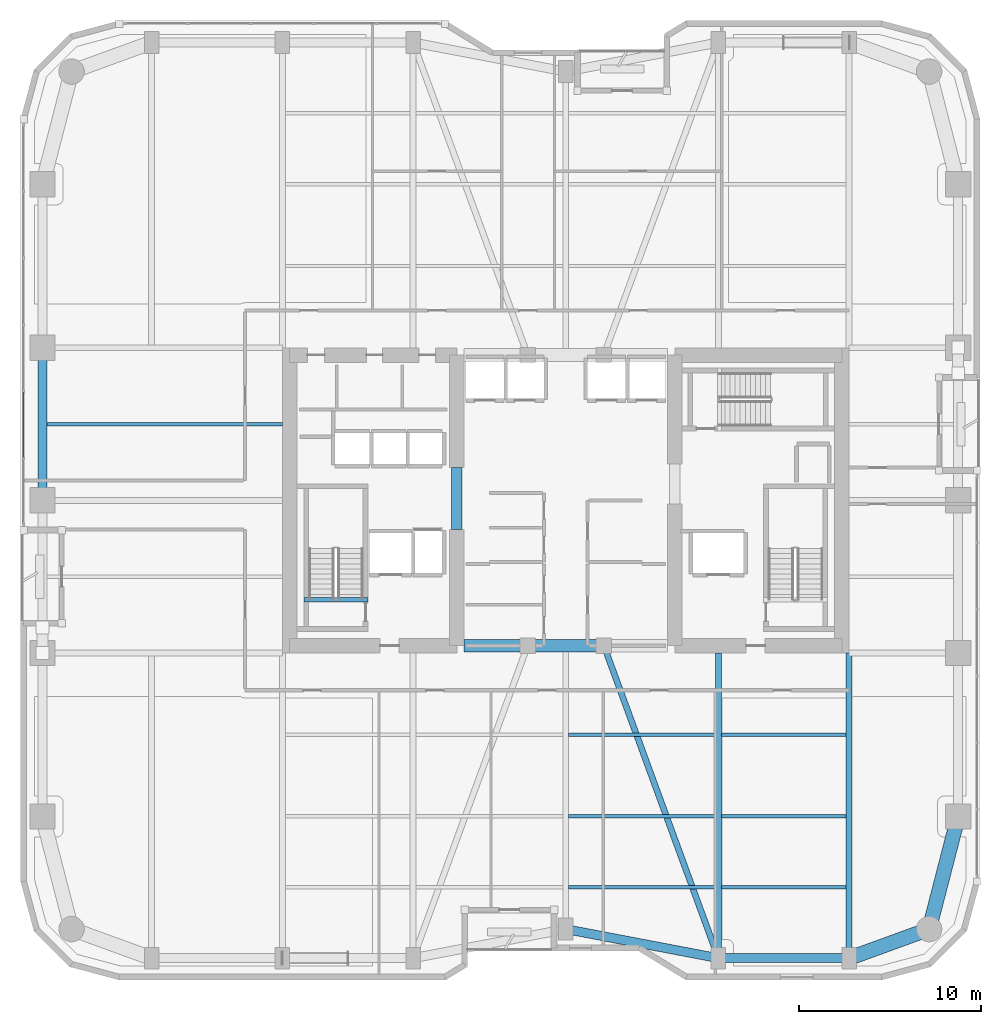
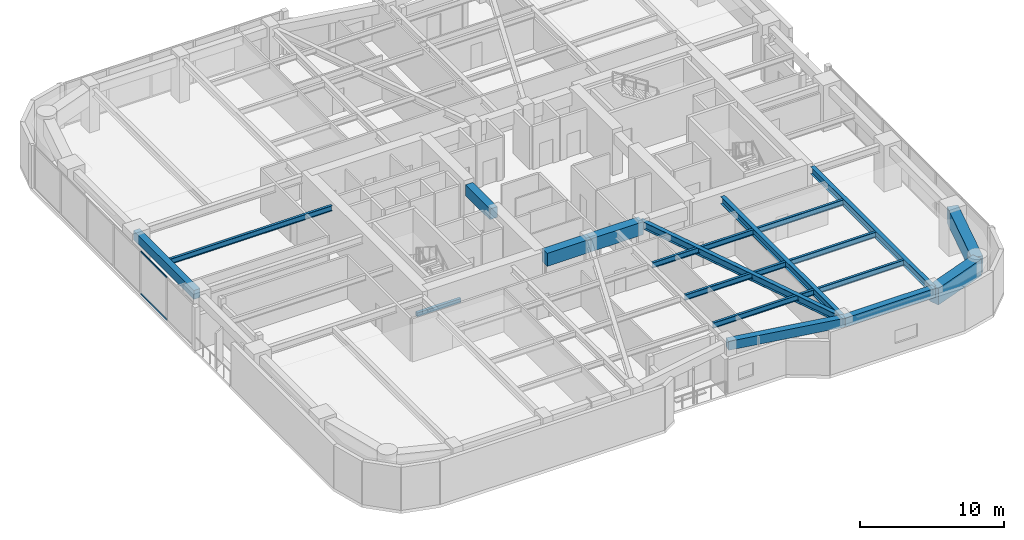
# One storey, part 3 of 24: 19 beams, 2 members, 1 element without a shape of its own.
"""IFC4 building model written with IfcOpenShell, lengths in metres."""

from ifc_helpers import new_model, si_unit, direction, frame, origin, origin_2d, place, context, subcontext, project, spatial, rectangle, hollow_rectangle, i_section, extrude, material, layer, layer_set, material_profile, profile_set, type_object, element, aggregate, save


model = new_model("IFC4")

# Units and contexts
model_context = context("Model", 3, precision=1e-05, world=origin(), true_north=direction((0.0, 1.0)))
body_context = subcontext(model_context, "Body", "Model", "MODEL_VIEW")
ifc_project = project(units=[si_unit("LENGTHUNIT", "METRE"), si_unit("AREAUNIT", "SQUARE_METRE"), si_unit("VOLUMEUNIT", "CUBIC_METRE"), si_unit("PLANEANGLEUNIT", "RADIAN"), si_unit("MASSUNIT", "GRAM", prefix="KILO")], contexts=[model_context])

# Site, building, storey
site_placement = place(None, origin())
site = spatial("IfcSite", under=ifc_project, at=site_placement, CompositionType="ELEMENT")
building_placement = place(site_placement, origin())
building = spatial("IfcBuilding", under=site, at=building_placement, Name="Kiyonajd Concourse Tower", CompositionType="ELEMENT")
storey_placement = place(building_placement, frame((0.0, 0.0, 137.699951171875)))
storey = spatial("IfcBuildingStorey", under=building, at=storey_placement, Name="L35", CompositionType="ELEMENT", Elevation=137.699951171875)

# Beams
ifc_material_1 = material(Name="Concrete C70/85", Category="concrete")
ifc_material_profile_1 = material_profile(ifc_material_1, rectangle(XDim=0.699951171875, YDim=1.10009765625, at=origin_2d()), Name="RCBM-700x1100")
ifc_profile_set_1 = profile_set([ifc_material_profile_1], Name="Concrete C70/85")
beam_type_1 = type_object("IfcBeamType", Name="BM-COUP-1100", PredefinedType="LINTEL", material=ifc_profile_set_1)
beam_1_placement = place(storey_placement, frame((42.39990234375, 28.0, 3.090087890625), z_axis=(1.0, 0.0, 0.0), x_axis=(0.0, 1.0, 0.0)))
element("IfcBeam", 1, at=beam_1_placement, inside=storey, type_object=beam_type_1, Name="L35 Core Coupling Beam S1", PredefinedType="LINTEL", context=body_context, shape_type="SweptSolid", body=[
    extrude(rectangle(XDim=0.699951171875, YDim=1.10009765625, at=origin_2d()), origin(), (0.0, 0.0, 1.0), 3.5),
])
beam_2_placement = place(storey_placement, frame((45.89990234375, 28.0, 3.090087890625), z_axis=(1.0, 0.0, 0.0), x_axis=(0.0, 1.0, 0.0)))
element("IfcBeam", 2, at=beam_2_placement, inside=storey, type_object=beam_type_1, Name="L35 Core Coupling Beam S2", PredefinedType="LINTEL", context=body_context, shape_type="SweptSolid", body=[
    extrude(rectangle(XDim=0.699951171875, YDim=1.10009765625, at=origin_2d()), origin(), (0.0, 0.0, 1.0), 4.2001953125),
])
ifc_material_2 = material(Name="Concrete C60/75", Category="concrete")
ifc_material_profile_2 = material_profile(ifc_material_2, rectangle(XDim=0.60009765625, YDim=0.89990234375, at=origin_2d()), Name="RCBM-600x900")
ifc_profile_set_2 = profile_set([ifc_material_profile_2], Name="Concrete C60/75")
beam_type_2 = type_object("IfcBeamType", Name="BM-COUP-900", PredefinedType="LINTEL", material=ifc_profile_set_2)
beam_3_placement = place(storey_placement, frame((42.0, 34.39990234375, 3.090087890625), z_axis=(0.0, 1.0, 0.0), x_axis=(-1.0, 0.0, 0.0)))
element("IfcBeam", 3, at=beam_3_placement, inside=storey, type_object=beam_type_2, Name="L35 West Core Throat Coupling Lintel", PredefinedType="LINTEL", context=body_context, shape_type="SweptSolid", body=[
    extrude(rectangle(XDim=0.60009765625, YDim=0.89990234375, at=origin_2d()), origin(), (0.0, 0.0, 1.0), 3.400146484375),
])
ifc_material_3 = material(Name="Steel ASTM A992 Grade 50", Category="steel")
ifc_material_profile_3 = material_profile(ifc_material_3, i_section(OverallWidth=0.19189453125, OverallDepth=0.462890625, WebThickness=0.010498046875, FlangeThickness=0.017578125, at=origin_2d()), Name="W460X89")
ifc_profile_set_3 = profile_set([ifc_material_profile_3], Name="Steel ASTM A992 Grade 50")
beam_type_3 = type_object("IfcBeamType", Name="BM-JST-460B", PredefinedType="JOIST", material=ifc_profile_set_3)
beam_4_placement = place(storey_placement, frame((48.16357421875, 14.699951171875, 3.408447265625), z_axis=(1.0, 0.0, 0.0), x_axis=(0.0, 1.0, 0.0)))
element("IfcBeam", 4, at=beam_4_placement, inside=storey, type_object=beam_type_3, Name="L35 Secondary Floor Joist", PredefinedType="JOIST", context=body_context, shape_type="SweptSolid", body=[
    extrude(i_section(OverallWidth=0.19189453125, OverallDepth=0.462890625, WebThickness=0.010498046875, FlangeThickness=0.017578125, at=origin_2d()), origin(), (0.0, 0.0, 1.0), 8.072998046875),
])
beam_5_placement = place(storey_placement, frame((56.5634765625, 14.699951171875, 3.408447265625), z_axis=(1.0, 0.0, 0.0), x_axis=(0.0, 1.0, 0.0)))
element("IfcBeam", 5, at=beam_5_placement, inside=storey, type_object=beam_type_3, Name="L35 Secondary Floor Joist", PredefinedType="JOIST", context=body_context, shape_type="SweptSolid", body=[
    extrude(i_section(OverallWidth=0.19189453125, OverallDepth=0.462890625, WebThickness=0.010498046875, FlangeThickness=0.017578125, at=origin_2d()), origin(), (0.0, 0.0, 1.0), 6.873046875),
])
beam_6_placement = place(storey_placement, frame((48.16357421875, 18.60009765625, 3.408447265625), z_axis=(1.0, 0.0, 0.0), x_axis=(0.0, 1.0, 0.0)))
element("IfcBeam", 6, at=beam_6_placement, inside=storey, type_object=beam_type_3, Name="L35 Secondary Floor Joist", PredefinedType="JOIST", context=body_context, shape_type="SweptSolid", body=[
    extrude(i_section(OverallWidth=0.19189453125, OverallDepth=0.462890625, WebThickness=0.010498046875, FlangeThickness=0.017578125, at=origin_2d()), origin(), (0.0, 0.0, 1.0), 8.072998046875),
])
beam_7_placement = place(storey_placement, frame((56.5634765625, 18.60009765625, 3.408447265625), z_axis=(1.0, 0.0, 0.0), x_axis=(0.0, 1.0, 0.0)))
element("IfcBeam", 7, at=beam_7_placement, inside=storey, type_object=beam_type_3, Name="L35 Secondary Floor Joist", PredefinedType="JOIST", context=body_context, shape_type="SweptSolid", body=[
    extrude(i_section(OverallWidth=0.19189453125, OverallDepth=0.462890625, WebThickness=0.010498046875, FlangeThickness=0.017578125, at=origin_2d()), origin(), (0.0, 0.0, 1.0), 6.873046875),
])
beam_8_placement = place(storey_placement, frame((48.16357421875, 23.10009765625, 3.408447265625), z_axis=(1.0, 0.0, 0.0), x_axis=(0.0, 1.0, 0.0)))
element("IfcBeam", 8, at=beam_8_placement, inside=storey, type_object=beam_type_3, Name="L35 Secondary Floor Joist", PredefinedType="JOIST", context=body_context, shape_type="SweptSolid", body=[
    extrude(i_section(OverallWidth=0.19189453125, OverallDepth=0.462890625, WebThickness=0.010498046875, FlangeThickness=0.017578125, at=origin_2d()), origin(), (0.0, 0.0, 1.0), 8.072998046875),
])
beam_9_placement = place(storey_placement, frame((56.5634765625, 23.10009765625, 3.408447265625), z_axis=(1.0, 0.0, 0.0), x_axis=(0.0, 1.0, 0.0)))
element("IfcBeam", 9, at=beam_9_placement, inside=storey, type_object=beam_type_3, Name="L35 Secondary Floor Joist", PredefinedType="JOIST", context=body_context, shape_type="SweptSolid", body=[
    extrude(i_section(OverallWidth=0.19189453125, OverallDepth=0.462890625, WebThickness=0.010498046875, FlangeThickness=0.017578125, at=origin_2d()), origin(), (0.0, 0.0, 1.0), 6.873046875),
])
beam_10_placement = place(storey_placement, frame((19.449951171875, 40.199951171875, 3.408447265625), z_axis=(1.0, 0.0, 0.0), x_axis=(0.0, 1.0, 0.0)))
element("IfcBeam", 10, at=beam_10_placement, inside=storey, type_object=beam_type_3, Name="L35 West Secondary Floor Joist", PredefinedType="JOIST", context=body_context, shape_type="SweptSolid", body=[
    extrude(i_section(OverallWidth=0.19189453125, OverallDepth=0.462890625, WebThickness=0.010498046875, FlangeThickness=0.017578125, at=origin_2d()), origin(), (0.0, 0.0, 1.0), 12.949951171875),
])
ifc_material_4 = material(Name="Concrete C50/60", Category="concrete")
ifc_material_profile_4 = material_profile(ifc_material_4, rectangle(XDim=0.239990234375, YDim=0.320068359375, at=origin_2d()), Name="RCBM-240x320")
ifc_profile_set_4 = profile_set([ifc_material_profile_4], Name="Concrete C50/60")
beam_type_4 = type_object("IfcBeamType", Name="BM-LNT-250", PredefinedType="LINTEL", material=ifc_profile_set_4)
beam_11_placement = place(storey_placement, frame((33.590087890625, 30.530029296875, -0.159912109375), z_axis=(1.0, 0.0, 0.0), x_axis=(0.0, 1.0, 0.0)))
element("IfcBeam", 11, at=beam_11_placement, inside=storey, type_object=beam_type_4, Name="L35 Stair ST1 Threshold Support Beam", PredefinedType="LINTEL", context=body_context, shape_type="SweptSolid", body=[
    extrude(rectangle(XDim=0.239990234375, YDim=0.320068359375, at=origin_2d()), origin(), (0.0, 0.0, 1.0), 3.52001953125),
])
ifc_material_5 = material(Name="Precast concrete C50/60", Category="concrete")
ifc_material_profile_5 = material_profile(ifc_material_5, rectangle(XDim=0.5, YDim=0.75, at=origin_2d()), Name="RCBM-500x750")
ifc_profile_set_5 = profile_set([ifc_material_profile_5], Name="Precast concrete C50/60")
beam_type_5 = type_object("IfcBeamType", Name="BM-SPAN-RC", PredefinedType="SPANDREL", material=ifc_profile_set_5)
beam_12_placement = place(storey_placement, frame((48.0, 12.39990234375, 3.26513671875), z_axis=(0.982341315253, -0.187097675953, 0.0), x_axis=(0.187097675953, 0.982341315253, 0.0)))
element("IfcBeam", 12, at=beam_12_placement, inside=storey, type_object=beam_type_5, Name="L35 Perimeter Bundled Tube Spandrel", PredefinedType="SPANDREL", context=body_context, shape_type="SweptSolid", body=[
    extrude(rectangle(XDim=0.5, YDim=0.75, at=origin_2d()), origin(), (0.0, 0.0, 1.0), 8.55078125),
])
beam_13_placement = place(storey_placement, frame((56.39990234375, 10.800048828125, 3.26513671875), z_axis=(1.0, 0.0, 0.0), x_axis=(0.0, 1.0, 0.0)))
element("IfcBeam", 13, at=beam_13_placement, inside=storey, type_object=beam_type_5, Name="L35 Perimeter Bundled Tube Spandrel", PredefinedType="SPANDREL", context=body_context, shape_type="SweptSolid", body=[
    extrude(rectangle(XDim=0.5, YDim=0.75, at=origin_2d()), origin(), (0.0, 0.0, 1.0), 7.2001953125),
])
beam_14_placement = place(storey_placement, frame((19.199951171875, 44.39990234375, 3.26513671875), z_axis=(0.0, -1.0, 0.0), x_axis=(1.0, 0.0, 0.0)))
element("IfcBeam", 14, at=beam_14_placement, inside=storey, type_object=beam_type_5, Name="L35 Perimeter Bundled Tube Spandrel", PredefinedType="SPANDREL", context=body_context, shape_type="SweptSolid", body=[
    extrude(rectangle(XDim=0.5, YDim=0.75, at=origin_2d()), origin(), (0.0, 0.0, 1.0), 8.39990234375),
])
ifc_material_profile_6 = material_profile(ifc_material_3, i_section(OverallWidth=0.326904296875, OverallDepth=0.6220703125, WebThickness=0.015380859375, FlangeThickness=0.0244140625, at=origin_2d()), Name="W610X195")
ifc_profile_set_6 = profile_set([ifc_material_profile_6], Name="Steel ASTM A992 Grade 50")
beam_type_6 = type_object("IfcBeamType", Name="BM-TWR-610A", PredefinedType="BEAM", material=ifc_profile_set_6)
beam_15_placement = place(storey_placement, frame((50.10009765625, 28.0, 3.3291015625), z_axis=(0.343925269715, -0.938997022813, 0.0), x_axis=(0.938997022813, 0.343925269715, 0.0)))
element("IfcBeam", 15, at=beam_15_placement, inside=storey, type_object=beam_type_6, Name="L35 Core Tie Girder", PredefinedType="BEAM", context=body_context, shape_type="SweptSolid", body=[
    extrude(i_section(OverallWidth=0.326904296875, OverallDepth=0.6220703125, WebThickness=0.015380859375, FlangeThickness=0.0244140625, at=origin_2d()), origin(), (0.0, 0.0, 1.0), 18.3173828125),
])
for number, where, z_axis, x_axis, name in (
    (16, (56.39990234375, 10.800048828125, 3.3291015625), (0.0, 1.0, 0.0), (-1.0, 0.0, 0.0), "L35 South Lease Girder"),
    (17, (63.60009765625, 10.800048828125, 3.3291015625), (0.0, 1.0, 0.0), (-1.0, 0.0, 0.0), "L35 South Lease Girder"),
):
    element("IfcBeam", number, at=place(storey_placement, frame(where, z_axis=z_axis, x_axis=x_axis)), inside=storey, type_object=beam_type_6, Name=name, PredefinedType="BEAM", context=body_context, shape_type="SweptSolid", body=[
        extrude(i_section(OverallWidth=0.326904296875, OverallDepth=0.6220703125, WebThickness=0.015380859375, FlangeThickness=0.0244140625, at=origin_2d()), origin(), (0.0, 0.0, 1.0), 16.800048828125),
    ])
ifc_material_profile_7 = material_profile(ifc_material_2, rectangle(XDim=0.800048828125, YDim=1.39990234375, at=origin_2d()), Name="RCBM-800x1400")
ifc_profile_set_7 = profile_set([ifc_material_profile_7], Name="Concrete C60/75")
beam_type_7 = type_object("IfcBeamType", Name="BM-XFER-RC", PredefinedType="BEAM", material=ifc_profile_set_7)
beam_16_placement = place(storey_placement, frame((63.60009765625, 10.800048828125, 2.93994140625), z_axis=(0.939801036019, 0.341722127901, 0.0), x_axis=(-0.341722127901, 0.939801036019, 0.0)))
element("IfcBeam", 18, at=beam_16_placement, inside=storey, type_object=beam_type_7, Name="L35 Perimeter Bundled Tube Spandrel", PredefinedType="BEAM", context=body_context, shape_type="SweptSolid", body=[
    extrude(rectangle(XDim=0.800048828125, YDim=1.39990234375, at=origin_2d()), origin(), (0.0, 0.0, 1.0), 4.681640625),
])
beam_17_placement = place(storey_placement, frame((68.0, 12.39990234375, 2.93994140625), z_axis=(0.249884937687, 0.968275538221, 0.0), x_axis=(-0.968275538221, 0.249884937687, 0.0)))
element("IfcBeam", 19, at=beam_17_placement, inside=storey, type_object=beam_type_7, Name="L35 Perimeter Bundled Tube Spandrel", PredefinedType="BEAM", context=body_context, shape_type="SweptSolid", body=[
    extrude(rectangle(XDim=0.800048828125, YDim=1.39990234375, at=origin_2d()), origin(), (0.0, 0.0, 1.0), 6.4033203125),
])

# Curtain wall, members
ifc_material_6 = material(Name="Thermally Broken Anodised Aluminium", Category="aluminium")
ifc_layer = layer(ifc_material_6, 0.179931640625)
ifc_layer_set = layer_set([ifc_layer], Name="Thermally Broken Anodised Aluminium")
curtain_wall_type = type_object("IfcCurtainWallType", Name="CW-SYS-03", PredefinedType="NOTDEFINED", material=ifc_layer_set)
curtain_wall_placement = place(storey_placement, origin())
curtain_wall = element("IfcCurtainWall", 20, at=curtain_wall_placement, inside=storey, type_object=curtain_wall_type, Name="L35 Unitised Curtain Wall CW3", PredefinedType="NOTDEFINED")
ifc_material_profile_8 = material_profile(ifc_material_6, hollow_rectangle(XDim=0.06494140625, YDim=0.139892578125, WallThickness=0.00390625, at=origin_2d()), Name="TRAN-65x140")
ifc_profile_set_8 = profile_set([ifc_material_profile_8], Name="Thermally Broken Anodised Aluminium")
member_type = type_object("IfcMemberType", Name="MB-CW-TRAN1", PredefinedType="USERDEFINED", material=ifc_profile_set_8)
member_1_placement = place(storey_placement, frame((18.159912109375, 38.355712890625, 0.032470703125), z_axis=(0.0, 1.0, 0.0), x_axis=(-1.0, 0.0, 0.0)))
member_1 = element("IfcMember", 21, at=member_1_placement, type_object=member_type, Name="CW3 transom 2.1", ObjectType="TRANSOM", PredefinedType="USERDEFINED", context=body_context, shape_type="SweptSolid", body=[
    extrude(hollow_rectangle(XDim=0.06494140625, YDim=0.139892578125, WallThickness=0.00390625, at=origin_2d()), origin(), (0.0, 0.0, 1.0), 3.608154296875),
])
member_2_placement = place(storey_placement, frame((18.159912109375, 38.355712890625, 3.607666015625), z_axis=(0.0, 1.0, 0.0), x_axis=(-1.0, 0.0, 0.0)))
member_2 = element("IfcMember", 22, at=member_2_placement, type_object=member_type, Name="CW3 transom 2.2", ObjectType="TRANSOM", PredefinedType="USERDEFINED", context=body_context, shape_type="SweptSolid", body=[
    extrude(hollow_rectangle(XDim=0.06494140625, YDim=0.139892578125, WallThickness=0.00390625, at=origin_2d()), origin(), (0.0, 0.0, 1.0), 3.608154296875),
])
aggregate(curtain_wall, [member_1, member_2])

save(model, "model.ifc")
